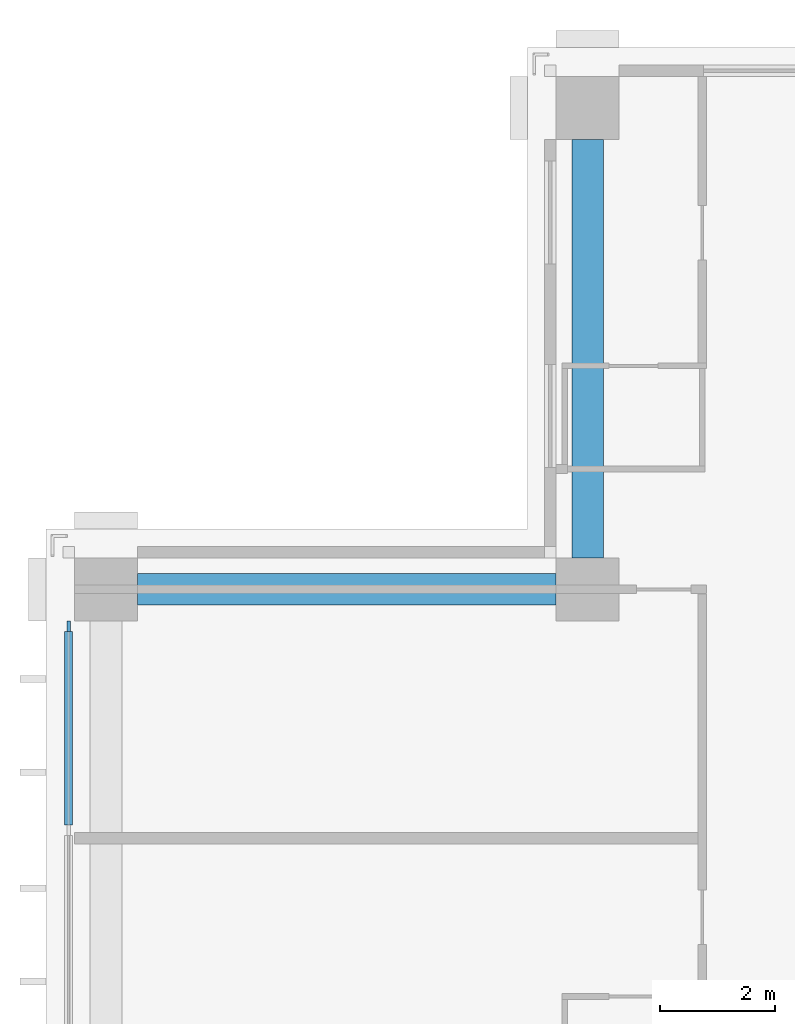
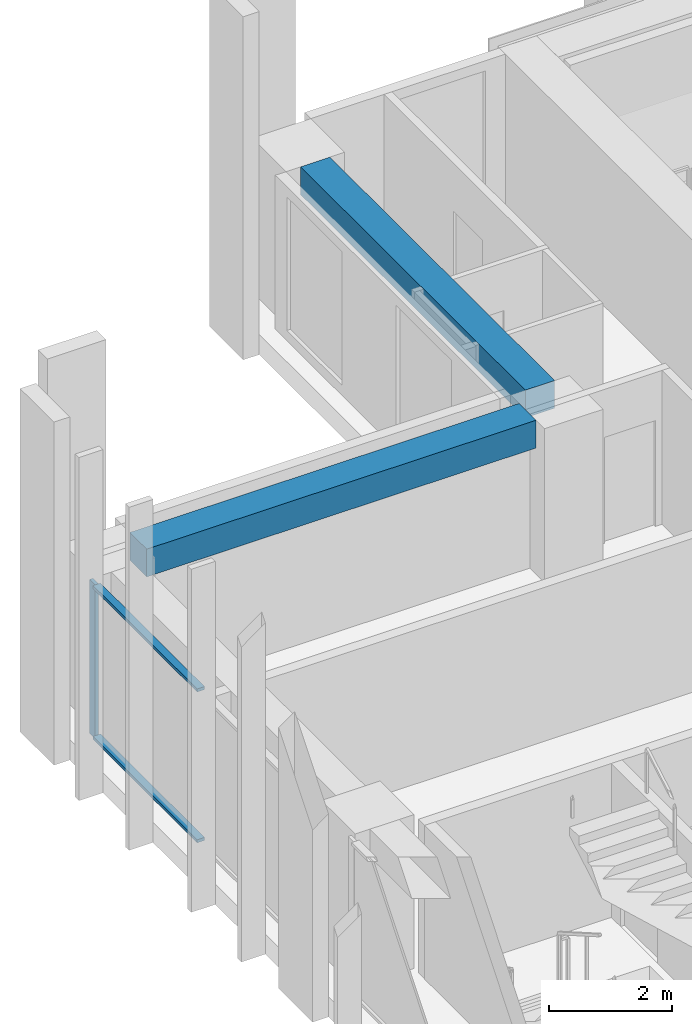
# One storey, part 6 of 16: 3 members, 2 beams, 1 element without a shape of its own.
"""IFC4 building model written with IfcOpenShell, lengths in metres."""

from ifc_helpers import new_model, si_unit, direction, frame, origin, origin_2d, place, context, subcontext, project, spatial, rectangle, extrude, material, material_profile, profile_set, type_object, element, aggregate, save


model = new_model("IFC4")

# Units and contexts
model_context = context("Model", 3, precision=1e-05, world=origin(), true_north=direction((0.0, 1.0)))
body_context = subcontext(model_context, "Body", "Model", "MODEL_VIEW")
ifc_project = project(units=[si_unit("LENGTHUNIT", "METRE"), si_unit("AREAUNIT", "SQUARE_METRE"), si_unit("VOLUMEUNIT", "CUBIC_METRE"), si_unit("PLANEANGLEUNIT", "RADIAN"), si_unit("MASSUNIT", "GRAM", prefix="KILO")], contexts=[model_context])

# Site, building, storey
site_placement = place(None, origin())
site = spatial("IfcSite", under=ifc_project, at=site_placement, CompositionType="ELEMENT")
building_placement = place(site_placement, origin())
building = spatial("IfcBuilding", under=site, at=building_placement, Name="Vermilion Ogive Tower", CompositionType="ELEMENT")
storey_placement = place(building_placement, frame((0.0, 0.0, 164.14990234375)))
storey = spatial("IfcBuildingStorey", under=building, at=storey_placement, Name="L42", CompositionType="ELEMENT", Elevation=164.14990234375)

# Curtain wall, members
ifc_material_1 = material(Name="Low-iron laminated glazing in aluminium frame", Category="aluminium")
curtain_wall_type = type_object("IfcCurtainWallType", Name="Curtain wall CW7", PredefinedType="NOTDEFINED", material=ifc_material_1)
curtain_wall_placement = place(storey_placement, origin())
curtain_wall = element("IfcCurtainWall", 1, at=curtain_wall_placement, inside=storey, type_object=curtain_wall_type, Name="Glazed skin W1", PredefinedType="NOTDEFINED")
ifc_material_2 = material(Name="Aluminium mullion", Category="aluminium")
ifc_material_profile_1 = material_profile(ifc_material_2, rectangle(XDim=0.06005859375, YDim=0.179931640625, at=origin_2d()), Name="AL 60x180")
ifc_profile_set_1 = profile_set([ifc_material_profile_1], Name="Aluminium mullion")
member_type_1 = type_object("IfcMemberType", Name="CW7 mullion 60x180", PredefinedType="MULLION", material=ifc_profile_set_1)
member_1_placement = place(storey_placement, frame((-21.64990234375, 11.9599609375, 0.0), z_axis=(0.0, 0.0, 1.0), x_axis=(1.0, 0.0, 0.0)))
member_1 = element("IfcMember", 2, at=member_1_placement, type_object=member_type_1, Name="CW7-W1 mullion 1", PredefinedType="MULLION", context=body_context, shape_type="SweptSolid", body=[
    extrude(rectangle(XDim=0.06005859375, YDim=0.179931640625, at=origin_2d()), origin(), (0.0, 0.0, 1.0), 3.050048828125),
])
ifc_material_3 = material(Name="Aluminium transom", Category="aluminium")
ifc_material_profile_2 = material_profile(ifc_material_3, rectangle(XDim=0.139892578125, YDim=0.06005859375, at=origin_2d()), Name="AL 60x140")
ifc_profile_set_2 = profile_set([ifc_material_profile_2], Name="Aluminium transom")
member_type_2 = type_object("IfcMemberType", Name="CW7 transom 60x140", PredefinedType="USERDEFINED", material=ifc_profile_set_2)
member_2_placement = place(storey_placement, frame((-21.64990234375, 11.8701171875, 0.030029296875), z_axis=(0.0, -1.0, 0.0), x_axis=(1.0, 0.0, 0.0)))
member_2 = element("IfcMember", 3, at=member_2_placement, type_object=member_type_2, Name="CW7-W1 transom 1.1", ObjectType="TRANSOM", PredefinedType="USERDEFINED", context=body_context, shape_type="SweptSolid", body=[
    extrude(rectangle(XDim=0.139892578125, YDim=0.06005859375, at=origin_2d()), origin(), (0.0, 0.0, 1.0), 3.380126953125),
])
member_3_placement = place(storey_placement, frame((-21.64990234375, 11.8701171875, 3.02001953125), z_axis=(0.0, -1.0, 0.0), x_axis=(1.0, 0.0, 0.0)))
member_3 = element("IfcMember", 4, at=member_3_placement, type_object=member_type_2, Name="CW7-W1 transom 1.2", ObjectType="TRANSOM", PredefinedType="USERDEFINED", context=body_context, shape_type="SweptSolid", body=[
    extrude(rectangle(XDim=0.139892578125, YDim=0.06005859375, at=origin_2d()), origin(), (0.0, 0.0, 1.0), 3.380126953125),
])
aggregate(curtain_wall, [member_1, member_2, member_3])

# Beams
ifc_material_4 = material(Name="Concrete B45", Category="concrete")
ifc_material_profile_3 = material_profile(ifc_material_4, rectangle(XDim=0.550048828125, YDim=0.550048828125, at=origin_2d()), Name="550 x 550")
ifc_profile_set_3 = profile_set([ifc_material_profile_3], Name="Concrete B45")
beam_type = type_object("IfcBeamType", Name="Edge beam 550 x 550 B45", PredefinedType="BEAM", material=ifc_profile_set_3)
for number, where, z_axis, x_axis, name in (
    (5, (-12.60009765625, 20.449951171875, 2.775146484375), (0.0, -1.0, 0.0), (1.0, 0.0, 0.0), "L42-EB-11"),
    (6, (-13.14990234375, 12.60009765625, 2.775146484375), (-1.0, 0.0, 0.0), (0.0, -1.0, 0.0), "L42-EB-12"),
):
    element("IfcBeam", number, at=place(storey_placement, frame(where, z_axis=z_axis, x_axis=x_axis)), inside=storey, type_object=beam_type, Name=name, PredefinedType="BEAM", context=body_context, shape_type="SweptSolid", body=[
        extrude(rectangle(XDim=0.550048828125, YDim=0.550048828125, at=origin_2d()), origin(), (0.0, 0.0, 1.0), 7.300048828125),
    ])

save(model, "model.ifc")
